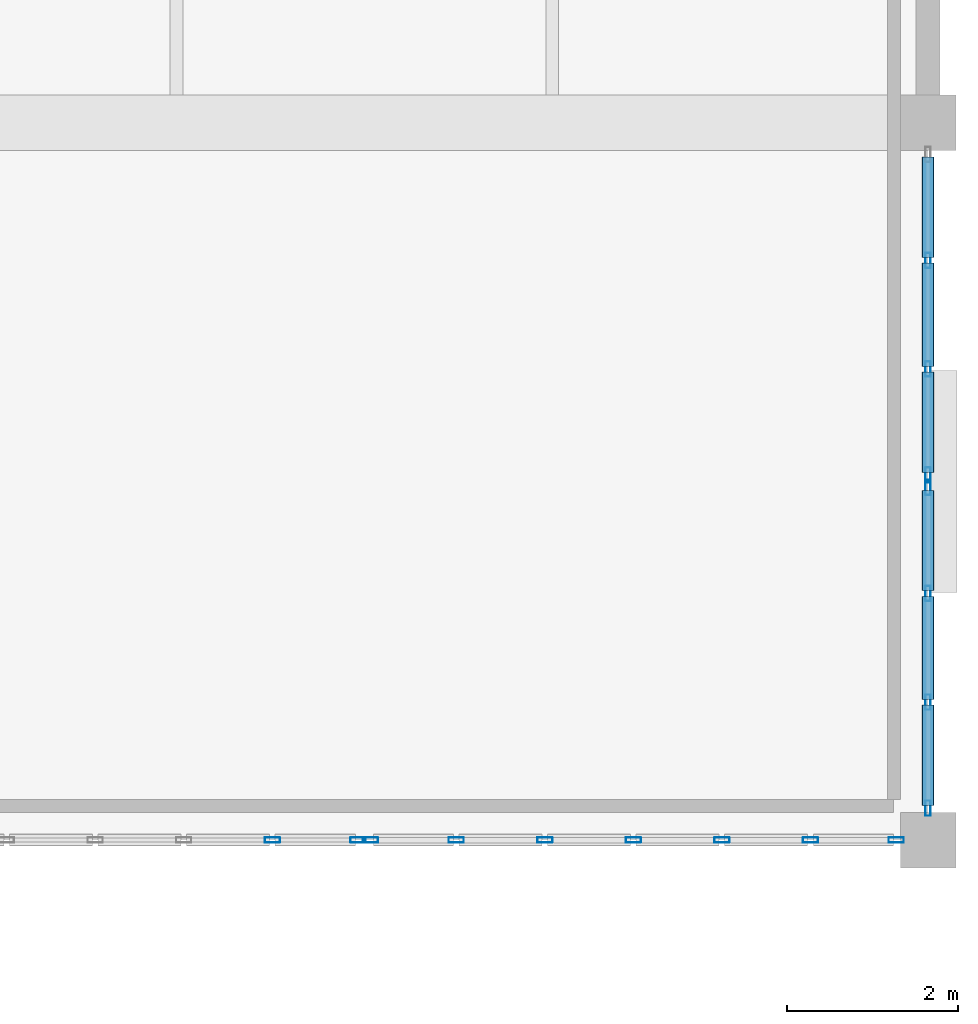
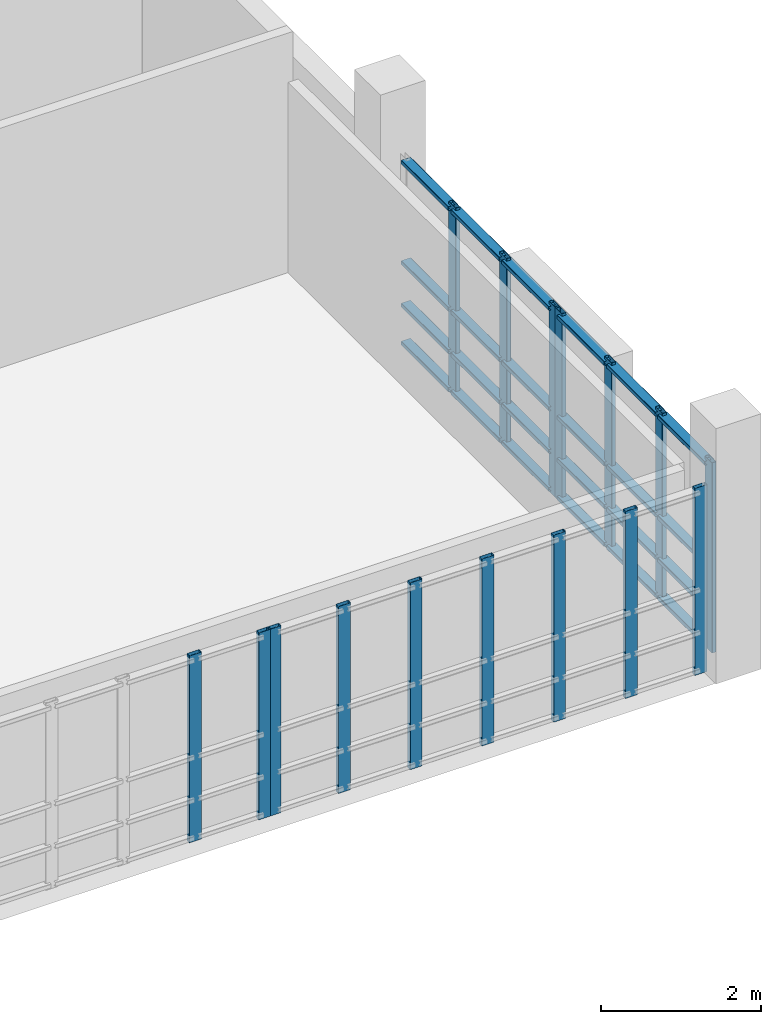
# One storey, part 11 of 25: 40 members, 4 elements without a shape of their own.
"""IFC4 building model written with IfcOpenShell, lengths in metres."""

from ifc_helpers import new_model, si_unit, direction, frame, origin, origin_2d, place, context, subcontext, project, spatial, hollow_rectangle, extrude, material, layer, layer_set, material_profile, profile_set, type_object, element, aggregate, save


model = new_model("IFC4")

# Units and contexts
model_context = context("Model", 3, precision=1e-05, world=origin(), true_north=direction((0.0, 1.0)))
body_context = subcontext(model_context, "Body", "Model", "MODEL_VIEW")
ifc_project = project(units=[si_unit("LENGTHUNIT", "METRE"), si_unit("AREAUNIT", "SQUARE_METRE"), si_unit("VOLUMEUNIT", "CUBIC_METRE"), si_unit("PLANEANGLEUNIT", "RADIAN"), si_unit("MASSUNIT", "GRAM", prefix="KILO")], contexts=[model_context])

# Site, building, storey
site_placement = place(None, origin())
site = spatial("IfcSite", under=ifc_project, at=site_placement, CompositionType="ELEMENT")
building_placement = place(site_placement, origin())
building = spatial("IfcBuilding", under=site, at=building_placement, Name="Kisaragi Civic Commons", CompositionType="ELEMENT")
storey_placement = place(building_placement, frame((0.0, 0.0, 13.5)))
storey = spatial("IfcBuildingStorey", under=building, at=storey_placement, Name="L03", CompositionType="ELEMENT", Elevation=13.5)

# Curtain wall, members
ifc_material = material(Name="Thermally broken anodized aluminium and low-E double glazing", Category="aluminium")
ifc_layer = layer(ifc_material, 0.179931640625, Name="Thermally broken anodized aluminium and low-E double glazing", Category="aluminium")
ifc_layer_set = layer_set([ifc_layer], Name="Thermally broken anodized aluminium and low-E double glazing")
curtain_wall_type = type_object("IfcCurtainWallType", Name="CW-01", PredefinedType="NOTDEFINED", material=ifc_layer_set)
curtain_wall_1_placement = place(storey_placement, origin())
curtain_wall_1 = element("IfcCurtainWall", 1, at=curtain_wall_1_placement, inside=storey, type_object=curtain_wall_type, Name="L03 curtain wall CW-01 CW-V4-L03-105", PredefinedType="NOTDEFINED")
ifc_material_profile_1 = material_profile(ifc_material, hollow_rectangle(XDim=0.06494140625, YDim=0.179931640625, WallThickness=0.00439453125, InnerFilletRadius=0.00439453125, OuterFilletRadius=0.009033203125, at=origin_2d()), Name="CWM-65x180x4.5", Category="aluminium")
ifc_profile_set_1 = profile_set([ifc_material_profile_1], Name="Thermally broken anodized aluminium and low-E double glazing")
member_type_1 = type_object("IfcMemberType", Name="CWM-02", PredefinedType="MULLION", material=ifc_profile_set_1)
member_1_placement = place(storey_placement, frame((146.39990234375, 102.78662109375, 0.0), z_axis=(0.0, 0.0, 1.0), x_axis=(1.0, 0.0, 0.0)))
member_1 = element("IfcMember", 2, at=member_1_placement, type_object=member_type_1, Name="CW-01 mullion 2", PredefinedType="MULLION", context=body_context, shape_type="SweptSolid", body=[
    extrude(hollow_rectangle(XDim=0.06494140625, YDim=0.179931640625, WallThickness=0.00439453125, InnerFilletRadius=0.00439453125, OuterFilletRadius=0.009033203125, at=origin_2d()), origin(), (0.0, 0.0, 1.0), 2.905029296875),
])
member_2_placement = place(storey_placement, frame((146.39990234375, 101.513427734375, 0.0), z_axis=(0.0, 0.0, 1.0), x_axis=(1.0, 0.0, 0.0)))
member_2 = element("IfcMember", 3, at=member_2_placement, type_object=member_type_1, Name="CW-01 mullion 3", PredefinedType="MULLION", context=body_context, shape_type="SweptSolid", body=[
    extrude(hollow_rectangle(XDim=0.06494140625, YDim=0.179931640625, WallThickness=0.00439453125, InnerFilletRadius=0.00439453125, OuterFilletRadius=0.009033203125, at=origin_2d()), origin(), (0.0, 0.0, 1.0), 2.905029296875),
])
member_3_placement = place(storey_placement, frame((146.39990234375, 100.2724609375, 0.0), z_axis=(0.0, 0.0, 1.0), x_axis=(1.0, 0.0, 0.0)))
member_3 = element("IfcMember", 4, at=member_3_placement, type_object=member_type_1, Name="CW-01 mullion 4", PredefinedType="MULLION", context=body_context, shape_type="SweptSolid", body=[
    extrude(hollow_rectangle(XDim=0.06494140625, YDim=0.179931640625, WallThickness=0.00439453125, InnerFilletRadius=0.00439453125, OuterFilletRadius=0.009033203125, at=origin_2d()), origin(), (0.0, 0.0, 1.0), 2.905029296875),
])

curtain_wall_2_placement = place(storey_placement, origin())
curtain_wall_2 = element("IfcCurtainWall", 5, at=curtain_wall_2_placement, inside=storey, type_object=curtain_wall_type, Name="L03 curtain wall CW-01 CW-V4-L03-106", PredefinedType="NOTDEFINED")
member_4_placement = place(storey_placement, frame((146.39990234375, 100.12744140625, 0.0), z_axis=(0.0, 0.0, 1.0), x_axis=(1.0, 0.0, 0.0)))
member_4 = element("IfcMember", 6, at=member_4_placement, type_object=member_type_1, Name="CW-01 mullion 1", PredefinedType="MULLION", context=body_context, shape_type="SweptSolid", body=[
    extrude(hollow_rectangle(XDim=0.06494140625, YDim=0.179931640625, WallThickness=0.00439453125, InnerFilletRadius=0.00439453125, OuterFilletRadius=0.009033203125, at=origin_2d()), origin(), (0.0, 0.0, 1.0), 2.905029296875),
])
member_5_placement = place(storey_placement, frame((146.39990234375, 98.88671875, 0.0), z_axis=(0.0, 0.0, 1.0), x_axis=(1.0, 0.0, 0.0)))
member_5 = element("IfcMember", 7, at=member_5_placement, type_object=member_type_1, Name="CW-01 mullion 2", PredefinedType="MULLION", context=body_context, shape_type="SweptSolid", body=[
    extrude(hollow_rectangle(XDim=0.06494140625, YDim=0.179931640625, WallThickness=0.00439453125, InnerFilletRadius=0.00439453125, OuterFilletRadius=0.009033203125, at=origin_2d()), origin(), (0.0, 0.0, 1.0), 2.905029296875),
])
member_6_placement = place(storey_placement, frame((146.39990234375, 97.61328125, 0.0), z_axis=(0.0, 0.0, 1.0), x_axis=(1.0, 0.0, 0.0)))
member_6 = element("IfcMember", 8, at=member_6_placement, type_object=member_type_1, Name="CW-01 mullion 3", PredefinedType="MULLION", context=body_context, shape_type="SweptSolid", body=[
    extrude(hollow_rectangle(XDim=0.06494140625, YDim=0.179931640625, WallThickness=0.00439453125, InnerFilletRadius=0.00439453125, OuterFilletRadius=0.009033203125, at=origin_2d()), origin(), (0.0, 0.0, 1.0), 2.905029296875),
])
member_7_placement = place(storey_placement, frame((146.39990234375, 96.37255859375, 0.0), z_axis=(0.0, 0.0, 1.0), x_axis=(1.0, 0.0, 0.0)))
member_7 = element("IfcMember", 9, at=member_7_placement, type_object=member_type_1, Name="CW-01 mullion 4", PredefinedType="MULLION", context=body_context, shape_type="SweptSolid", body=[
    extrude(hollow_rectangle(XDim=0.06494140625, YDim=0.179931640625, WallThickness=0.00439453125, InnerFilletRadius=0.00439453125, OuterFilletRadius=0.009033203125, at=origin_2d()), origin(), (0.0, 0.0, 1.0), 2.905029296875),
])

curtain_wall_3_placement = place(storey_placement, origin())
curtain_wall_3 = element("IfcCurtainWall", 10, at=curtain_wall_3_placement, inside=storey, type_object=curtain_wall_type, Name="L03 curtain wall CW-01 CW-V4-L03-107", PredefinedType="NOTDEFINED")
member_8_placement = place(storey_placement, frame((146.027587890625, 96.0, 0.0), z_axis=(0.0, 0.0, 1.0), x_axis=(0.0, -1.0, 0.0)))
member_8 = element("IfcMember", 11, at=member_8_placement, type_object=member_type_1, Name="CW-01 mullion 1", PredefinedType="MULLION", context=body_context, shape_type="SweptSolid", body=[
    extrude(hollow_rectangle(XDim=0.06494140625, YDim=0.179931640625, WallThickness=0.00439453125, InnerFilletRadius=0.00439453125, OuterFilletRadius=0.009033203125, at=origin_2d()), origin(), (0.0, 0.0, 1.0), 2.85498046875),
])
member_9_placement = place(storey_placement, frame((145.0234375, 96.0, 0.0), z_axis=(0.0, 0.0, 1.0), x_axis=(0.0, -1.0, 0.0)))
member_9 = element("IfcMember", 12, at=member_9_placement, type_object=member_type_1, Name="CW-01 mullion 2", PredefinedType="MULLION", context=body_context, shape_type="SweptSolid", body=[
    extrude(hollow_rectangle(XDim=0.06494140625, YDim=0.179931640625, WallThickness=0.00439453125, InnerFilletRadius=0.00439453125, OuterFilletRadius=0.009033203125, at=origin_2d()), origin(), (0.0, 0.0, 1.0), 2.85498046875),
])
member_10_placement = place(storey_placement, frame((143.986572265625, 96.0, 0.0), z_axis=(0.0, 0.0, 1.0), x_axis=(0.0, -1.0, 0.0)))
member_10 = element("IfcMember", 13, at=member_10_placement, type_object=member_type_1, Name="CW-01 mullion 3", PredefinedType="MULLION", context=body_context, shape_type="SweptSolid", body=[
    extrude(hollow_rectangle(XDim=0.06494140625, YDim=0.179931640625, WallThickness=0.00439453125, InnerFilletRadius=0.00439453125, OuterFilletRadius=0.009033203125, at=origin_2d()), origin(), (0.0, 0.0, 1.0), 2.85498046875),
])
member_11_placement = place(storey_placement, frame((142.949951171875, 96.0, 0.0), z_axis=(0.0, 0.0, 1.0), x_axis=(0.0, -1.0, 0.0)))
member_11 = element("IfcMember", 14, at=member_11_placement, type_object=member_type_1, Name="CW-01 mullion 4", PredefinedType="MULLION", context=body_context, shape_type="SweptSolid", body=[
    extrude(hollow_rectangle(XDim=0.06494140625, YDim=0.179931640625, WallThickness=0.00439453125, InnerFilletRadius=0.00439453125, OuterFilletRadius=0.009033203125, at=origin_2d()), origin(), (0.0, 0.0, 1.0), 2.85498046875),
])
member_12_placement = place(storey_placement, frame((141.913330078125, 96.0, 0.0), z_axis=(0.0, 0.0, 1.0), x_axis=(0.0, -1.0, 0.0)))
member_12 = element("IfcMember", 15, at=member_12_placement, type_object=member_type_1, Name="CW-01 mullion 5", PredefinedType="MULLION", context=body_context, shape_type="SweptSolid", body=[
    extrude(hollow_rectangle(XDim=0.06494140625, YDim=0.179931640625, WallThickness=0.00439453125, InnerFilletRadius=0.00439453125, OuterFilletRadius=0.009033203125, at=origin_2d()), origin(), (0.0, 0.0, 1.0), 2.85498046875),
])
member_13_placement = place(storey_placement, frame((140.876708984375, 96.0, 0.0), z_axis=(0.0, 0.0, 1.0), x_axis=(0.0, -1.0, 0.0)))
member_13 = element("IfcMember", 16, at=member_13_placement, type_object=member_type_1, Name="CW-01 mullion 6", PredefinedType="MULLION", context=body_context, shape_type="SweptSolid", body=[
    extrude(hollow_rectangle(XDim=0.06494140625, YDim=0.179931640625, WallThickness=0.00439453125, InnerFilletRadius=0.00439453125, OuterFilletRadius=0.009033203125, at=origin_2d()), origin(), (0.0, 0.0, 1.0), 2.85498046875),
])
member_14_placement = place(storey_placement, frame((139.87255859375, 96.0, 0.0), z_axis=(0.0, 0.0, 1.0), x_axis=(0.0, -1.0, 0.0)))
member_14 = element("IfcMember", 17, at=member_14_placement, type_object=member_type_1, Name="CW-01 mullion 7", PredefinedType="MULLION", context=body_context, shape_type="SweptSolid", body=[
    extrude(hollow_rectangle(XDim=0.06494140625, YDim=0.179931640625, WallThickness=0.00439453125, InnerFilletRadius=0.00439453125, OuterFilletRadius=0.009033203125, at=origin_2d()), origin(), (0.0, 0.0, 1.0), 2.85498046875),
])
aggregate(curtain_wall_3, [member_8, member_9, member_10, member_11, member_12, member_13, member_14])

curtain_wall_4_placement = place(storey_placement, origin())
curtain_wall_4 = element("IfcCurtainWall", 18, at=curtain_wall_4_placement, inside=storey, type_object=curtain_wall_type, Name="L03 curtain wall CW-01 CW-V4-L03-108", PredefinedType="NOTDEFINED")
member_15_placement = place(storey_placement, frame((139.7275390625, 96.0, 0.0), z_axis=(0.0, 0.0, 1.0), x_axis=(0.0, -1.0, 0.0)))
member_15 = element("IfcMember", 19, at=member_15_placement, type_object=member_type_1, Name="CW-01 mullion 1", PredefinedType="MULLION", context=body_context, shape_type="SweptSolid", body=[
    extrude(hollow_rectangle(XDim=0.06494140625, YDim=0.179931640625, WallThickness=0.00439453125, InnerFilletRadius=0.00439453125, OuterFilletRadius=0.009033203125, at=origin_2d()), origin(), (0.0, 0.0, 1.0), 2.85498046875),
])
member_16_placement = place(storey_placement, frame((138.723388671875, 96.0, 0.0), z_axis=(0.0, 0.0, 1.0), x_axis=(0.0, -1.0, 0.0)))
member_16 = element("IfcMember", 20, at=member_16_placement, type_object=member_type_1, Name="CW-01 mullion 2", PredefinedType="MULLION", context=body_context, shape_type="SweptSolid", body=[
    extrude(hollow_rectangle(XDim=0.06494140625, YDim=0.179931640625, WallThickness=0.00439453125, InnerFilletRadius=0.00439453125, OuterFilletRadius=0.009033203125, at=origin_2d()), origin(), (0.0, 0.0, 1.0), 2.85498046875),
])
aggregate(curtain_wall_4, [member_15, member_16])

# Member
ifc_material_profile_2 = material_profile(ifc_material, hollow_rectangle(XDim=0.139892578125, YDim=0.06494140625, WallThickness=0.00439453125, InnerFilletRadius=0.00439453125, OuterFilletRadius=0.009033203125, at=origin_2d()), Name="CWT-65x140x4.5", Category="aluminium")
ifc_profile_set_2 = profile_set([ifc_material_profile_2], Name="Thermally broken anodized aluminium and low-E double glazing")
member_type_2 = type_object("IfcMemberType", Name="CWT-02", PredefinedType="USERDEFINED", material=ifc_profile_set_2)
member_17_placement = place(storey_placement, frame((146.39990234375, 103.9951171875, 0.070068359375), z_axis=(0.0, -1.0, 0.0), x_axis=(1.0, 0.0, 0.0)))
member_17 = element("IfcMember", 21, at=member_17_placement, type_object=member_type_2, Name="CW-01 transom 1.1", ObjectType="TRANSOM", PredefinedType="USERDEFINED", context=body_context, shape_type="SweptSolid", body=[
    extrude(hollow_rectangle(XDim=0.139892578125, YDim=0.06494140625, WallThickness=0.00439453125, InnerFilletRadius=0.00439453125, OuterFilletRadius=0.009033203125, at=origin_2d()), origin(), (0.0, 0.0, 1.0), 1.176025390625),
])

member_18_placement = place(storey_placement, frame((146.39990234375, 103.9951171875, 0.64990234375), z_axis=(0.0, -1.0, 0.0), x_axis=(1.0, 0.0, 0.0)))
member_18 = element("IfcMember", 22, at=member_18_placement, type_object=member_type_2, Name="CW-01 transom 1.2", ObjectType="TRANSOM", PredefinedType="USERDEFINED", context=body_context, shape_type="SweptSolid", body=[
    extrude(hollow_rectangle(XDim=0.139892578125, YDim=0.06494140625, WallThickness=0.00439453125, InnerFilletRadius=0.00439453125, OuterFilletRadius=0.009033203125, at=origin_2d()), origin(), (0.0, 0.0, 1.0), 1.176025390625),
])

member_19_placement = place(storey_placement, frame((146.39990234375, 103.9951171875, 1.300048828125), z_axis=(0.0, -1.0, 0.0), x_axis=(1.0, 0.0, 0.0)))
member_19 = element("IfcMember", 23, at=member_19_placement, type_object=member_type_2, Name="CW-01 transom 1.3", ObjectType="TRANSOM", PredefinedType="USERDEFINED", context=body_context, shape_type="SweptSolid", body=[
    extrude(hollow_rectangle(XDim=0.139892578125, YDim=0.06494140625, WallThickness=0.00439453125, InnerFilletRadius=0.00439453125, OuterFilletRadius=0.009033203125, at=origin_2d()), origin(), (0.0, 0.0, 1.0), 1.176025390625),
])

member_20_placement = place(storey_placement, frame((146.39990234375, 103.9951171875, 2.8349609375), z_axis=(0.0, -1.0, 0.0), x_axis=(1.0, 0.0, 0.0)))
member_20 = element("IfcMember", 24, at=member_20_placement, type_object=member_type_2, Name="CW-01 transom 1.4", ObjectType="TRANSOM", PredefinedType="USERDEFINED", context=body_context, shape_type="SweptSolid", body=[
    extrude(hollow_rectangle(XDim=0.139892578125, YDim=0.06494140625, WallThickness=0.00439453125, InnerFilletRadius=0.00439453125, OuterFilletRadius=0.009033203125, at=origin_2d()), origin(), (0.0, 0.0, 1.0), 1.176025390625),
])

member_21_placement = place(storey_placement, frame((146.39990234375, 102.754150390625, 0.070068359375), z_axis=(0.0, -1.0, 0.0), x_axis=(1.0, 0.0, 0.0)))
member_21 = element("IfcMember", 25, at=member_21_placement, type_object=member_type_2, Name="CW-01 transom 2.1", ObjectType="TRANSOM", PredefinedType="USERDEFINED", context=body_context, shape_type="SweptSolid", body=[
    extrude(hollow_rectangle(XDim=0.139892578125, YDim=0.06494140625, WallThickness=0.00439453125, InnerFilletRadius=0.00439453125, OuterFilletRadius=0.009033203125, at=origin_2d()), origin(), (0.0, 0.0, 1.0), 1.208251953125),
])

member_22_placement = place(storey_placement, frame((146.39990234375, 102.754150390625, 0.64990234375), z_axis=(0.0, -1.0, 0.0), x_axis=(1.0, 0.0, 0.0)))
member_22 = element("IfcMember", 26, at=member_22_placement, type_object=member_type_2, Name="CW-01 transom 2.2", ObjectType="TRANSOM", PredefinedType="USERDEFINED", context=body_context, shape_type="SweptSolid", body=[
    extrude(hollow_rectangle(XDim=0.139892578125, YDim=0.06494140625, WallThickness=0.00439453125, InnerFilletRadius=0.00439453125, OuterFilletRadius=0.009033203125, at=origin_2d()), origin(), (0.0, 0.0, 1.0), 1.208251953125),
])

member_23_placement = place(storey_placement, frame((146.39990234375, 102.754150390625, 1.300048828125), z_axis=(0.0, -1.0, 0.0), x_axis=(1.0, 0.0, 0.0)))
member_23 = element("IfcMember", 27, at=member_23_placement, type_object=member_type_2, Name="CW-01 transom 2.3", ObjectType="TRANSOM", PredefinedType="USERDEFINED", context=body_context, shape_type="SweptSolid", body=[
    extrude(hollow_rectangle(XDim=0.139892578125, YDim=0.06494140625, WallThickness=0.00439453125, InnerFilletRadius=0.00439453125, OuterFilletRadius=0.009033203125, at=origin_2d()), origin(), (0.0, 0.0, 1.0), 1.208251953125),
])

member_24_placement = place(storey_placement, frame((146.39990234375, 102.754150390625, 2.8349609375), z_axis=(0.0, -1.0, 0.0), x_axis=(1.0, 0.0, 0.0)))
member_24 = element("IfcMember", 28, at=member_24_placement, type_object=member_type_2, Name="CW-01 transom 2.4", ObjectType="TRANSOM", PredefinedType="USERDEFINED", context=body_context, shape_type="SweptSolid", body=[
    extrude(hollow_rectangle(XDim=0.139892578125, YDim=0.06494140625, WallThickness=0.00439453125, InnerFilletRadius=0.00439453125, OuterFilletRadius=0.009033203125, at=origin_2d()), origin(), (0.0, 0.0, 1.0), 1.208251953125),
])

member_25_placement = place(storey_placement, frame((146.39990234375, 101.480712890625, 0.070068359375), z_axis=(0.0, -1.0, 0.0), x_axis=(1.0, 0.0, 0.0)))
member_25 = element("IfcMember", 29, at=member_25_placement, type_object=member_type_2, Name="CW-01 transom 3.1", ObjectType="TRANSOM", PredefinedType="USERDEFINED", context=body_context, shape_type="SweptSolid", body=[
    extrude(hollow_rectangle(XDim=0.139892578125, YDim=0.06494140625, WallThickness=0.00439453125, InnerFilletRadius=0.00439453125, OuterFilletRadius=0.009033203125, at=origin_2d()), origin(), (0.0, 0.0, 1.0), 1.17578125),
])

member_26_placement = place(storey_placement, frame((146.39990234375, 101.480712890625, 0.64990234375), z_axis=(0.0, -1.0, 0.0), x_axis=(1.0, 0.0, 0.0)))
member_26 = element("IfcMember", 30, at=member_26_placement, type_object=member_type_2, Name="CW-01 transom 3.2", ObjectType="TRANSOM", PredefinedType="USERDEFINED", context=body_context, shape_type="SweptSolid", body=[
    extrude(hollow_rectangle(XDim=0.139892578125, YDim=0.06494140625, WallThickness=0.00439453125, InnerFilletRadius=0.00439453125, OuterFilletRadius=0.009033203125, at=origin_2d()), origin(), (0.0, 0.0, 1.0), 1.17578125),
])

member_27_placement = place(storey_placement, frame((146.39990234375, 101.480712890625, 1.300048828125), z_axis=(0.0, -1.0, 0.0), x_axis=(1.0, 0.0, 0.0)))
member_27 = element("IfcMember", 31, at=member_27_placement, type_object=member_type_2, Name="CW-01 transom 3.3", ObjectType="TRANSOM", PredefinedType="USERDEFINED", context=body_context, shape_type="SweptSolid", body=[
    extrude(hollow_rectangle(XDim=0.139892578125, YDim=0.06494140625, WallThickness=0.00439453125, InnerFilletRadius=0.00439453125, OuterFilletRadius=0.009033203125, at=origin_2d()), origin(), (0.0, 0.0, 1.0), 1.17578125),
])

member_28_placement = place(storey_placement, frame((146.39990234375, 101.480712890625, 2.8349609375), z_axis=(0.0, -1.0, 0.0), x_axis=(1.0, 0.0, 0.0)))
member_28 = element("IfcMember", 32, at=member_28_placement, type_object=member_type_2, Name="CW-01 transom 3.4", ObjectType="TRANSOM", PredefinedType="USERDEFINED", context=body_context, shape_type="SweptSolid", body=[
    extrude(hollow_rectangle(XDim=0.139892578125, YDim=0.06494140625, WallThickness=0.00439453125, InnerFilletRadius=0.00439453125, OuterFilletRadius=0.009033203125, at=origin_2d()), origin(), (0.0, 0.0, 1.0), 1.17578125),
])

aggregate(curtain_wall_1, [member_1, member_2, member_3, member_17, member_18, member_19, member_20, member_21, member_22, member_23, member_24, member_25, member_26, member_27, member_28])

member_29_placement = place(storey_placement, frame((146.39990234375, 100.094970703125, 0.070068359375), z_axis=(0.0, -1.0, 0.0), x_axis=(1.0, 0.0, 0.0)))
member_29 = element("IfcMember", 33, at=member_29_placement, type_object=member_type_2, Name="CW-01 transom 1.1", ObjectType="TRANSOM", PredefinedType="USERDEFINED", context=body_context, shape_type="SweptSolid", body=[
    extrude(hollow_rectangle(XDim=0.139892578125, YDim=0.06494140625, WallThickness=0.00439453125, InnerFilletRadius=0.00439453125, OuterFilletRadius=0.009033203125, at=origin_2d()), origin(), (0.0, 0.0, 1.0), 1.17578125),
])

member_30_placement = place(storey_placement, frame((146.39990234375, 100.094970703125, 0.64990234375), z_axis=(0.0, -1.0, 0.0), x_axis=(1.0, 0.0, 0.0)))
member_30 = element("IfcMember", 34, at=member_30_placement, type_object=member_type_2, Name="CW-01 transom 1.2", ObjectType="TRANSOM", PredefinedType="USERDEFINED", context=body_context, shape_type="SweptSolid", body=[
    extrude(hollow_rectangle(XDim=0.139892578125, YDim=0.06494140625, WallThickness=0.00439453125, InnerFilletRadius=0.00439453125, OuterFilletRadius=0.009033203125, at=origin_2d()), origin(), (0.0, 0.0, 1.0), 1.17578125),
])

member_31_placement = place(storey_placement, frame((146.39990234375, 100.094970703125, 1.300048828125), z_axis=(0.0, -1.0, 0.0), x_axis=(1.0, 0.0, 0.0)))
member_31 = element("IfcMember", 35, at=member_31_placement, type_object=member_type_2, Name="CW-01 transom 1.3", ObjectType="TRANSOM", PredefinedType="USERDEFINED", context=body_context, shape_type="SweptSolid", body=[
    extrude(hollow_rectangle(XDim=0.139892578125, YDim=0.06494140625, WallThickness=0.00439453125, InnerFilletRadius=0.00439453125, OuterFilletRadius=0.009033203125, at=origin_2d()), origin(), (0.0, 0.0, 1.0), 1.17578125),
])

member_32_placement = place(storey_placement, frame((146.39990234375, 100.094970703125, 2.8349609375), z_axis=(0.0, -1.0, 0.0), x_axis=(1.0, 0.0, 0.0)))
member_32 = element("IfcMember", 36, at=member_32_placement, type_object=member_type_2, Name="CW-01 transom 1.4", ObjectType="TRANSOM", PredefinedType="USERDEFINED", context=body_context, shape_type="SweptSolid", body=[
    extrude(hollow_rectangle(XDim=0.139892578125, YDim=0.06494140625, WallThickness=0.00439453125, InnerFilletRadius=0.00439453125, OuterFilletRadius=0.009033203125, at=origin_2d()), origin(), (0.0, 0.0, 1.0), 1.17578125),
])

member_33_placement = place(storey_placement, frame((146.39990234375, 98.854248046875, 0.070068359375), z_axis=(0.0, -1.0, 0.0), x_axis=(1.0, 0.0, 0.0)))
member_33 = element("IfcMember", 37, at=member_33_placement, type_object=member_type_2, Name="CW-01 transom 2.1", ObjectType="TRANSOM", PredefinedType="USERDEFINED", context=body_context, shape_type="SweptSolid", body=[
    extrude(hollow_rectangle(XDim=0.139892578125, YDim=0.06494140625, WallThickness=0.00439453125, InnerFilletRadius=0.00439453125, OuterFilletRadius=0.009033203125, at=origin_2d()), origin(), (0.0, 0.0, 1.0), 1.20849609375),
])

member_34_placement = place(storey_placement, frame((146.39990234375, 98.854248046875, 0.64990234375), z_axis=(0.0, -1.0, 0.0), x_axis=(1.0, 0.0, 0.0)))
member_34 = element("IfcMember", 38, at=member_34_placement, type_object=member_type_2, Name="CW-01 transom 2.2", ObjectType="TRANSOM", PredefinedType="USERDEFINED", context=body_context, shape_type="SweptSolid", body=[
    extrude(hollow_rectangle(XDim=0.139892578125, YDim=0.06494140625, WallThickness=0.00439453125, InnerFilletRadius=0.00439453125, OuterFilletRadius=0.009033203125, at=origin_2d()), origin(), (0.0, 0.0, 1.0), 1.20849609375),
])

member_35_placement = place(storey_placement, frame((146.39990234375, 98.854248046875, 1.300048828125), z_axis=(0.0, -1.0, 0.0), x_axis=(1.0, 0.0, 0.0)))
member_35 = element("IfcMember", 39, at=member_35_placement, type_object=member_type_2, Name="CW-01 transom 2.3", ObjectType="TRANSOM", PredefinedType="USERDEFINED", context=body_context, shape_type="SweptSolid", body=[
    extrude(hollow_rectangle(XDim=0.139892578125, YDim=0.06494140625, WallThickness=0.00439453125, InnerFilletRadius=0.00439453125, OuterFilletRadius=0.009033203125, at=origin_2d()), origin(), (0.0, 0.0, 1.0), 1.20849609375),
])

member_36_placement = place(storey_placement, frame((146.39990234375, 98.854248046875, 2.8349609375), z_axis=(0.0, -1.0, 0.0), x_axis=(1.0, 0.0, 0.0)))
member_36 = element("IfcMember", 40, at=member_36_placement, type_object=member_type_2, Name="CW-01 transom 2.4", ObjectType="TRANSOM", PredefinedType="USERDEFINED", context=body_context, shape_type="SweptSolid", body=[
    extrude(hollow_rectangle(XDim=0.139892578125, YDim=0.06494140625, WallThickness=0.00439453125, InnerFilletRadius=0.00439453125, OuterFilletRadius=0.009033203125, at=origin_2d()), origin(), (0.0, 0.0, 1.0), 1.20849609375),
])

member_37_placement = place(storey_placement, frame((146.39990234375, 97.580810546875, 0.070068359375), z_axis=(0.0, -1.0, 0.0), x_axis=(1.0, 0.0, 0.0)))
member_37 = element("IfcMember", 41, at=member_37_placement, type_object=member_type_2, Name="CW-01 transom 3.1", ObjectType="TRANSOM", PredefinedType="USERDEFINED", context=body_context, shape_type="SweptSolid", body=[
    extrude(hollow_rectangle(XDim=0.139892578125, YDim=0.06494140625, WallThickness=0.00439453125, InnerFilletRadius=0.00439453125, OuterFilletRadius=0.009033203125, at=origin_2d()), origin(), (0.0, 0.0, 1.0), 1.17578125),
])

member_38_placement = place(storey_placement, frame((146.39990234375, 97.580810546875, 0.64990234375), z_axis=(0.0, -1.0, 0.0), x_axis=(1.0, 0.0, 0.0)))
member_38 = element("IfcMember", 42, at=member_38_placement, type_object=member_type_2, Name="CW-01 transom 3.2", ObjectType="TRANSOM", PredefinedType="USERDEFINED", context=body_context, shape_type="SweptSolid", body=[
    extrude(hollow_rectangle(XDim=0.139892578125, YDim=0.06494140625, WallThickness=0.00439453125, InnerFilletRadius=0.00439453125, OuterFilletRadius=0.009033203125, at=origin_2d()), origin(), (0.0, 0.0, 1.0), 1.17578125),
])

member_39_placement = place(storey_placement, frame((146.39990234375, 97.580810546875, 1.300048828125), z_axis=(0.0, -1.0, 0.0), x_axis=(1.0, 0.0, 0.0)))
member_39 = element("IfcMember", 43, at=member_39_placement, type_object=member_type_2, Name="CW-01 transom 3.3", ObjectType="TRANSOM", PredefinedType="USERDEFINED", context=body_context, shape_type="SweptSolid", body=[
    extrude(hollow_rectangle(XDim=0.139892578125, YDim=0.06494140625, WallThickness=0.00439453125, InnerFilletRadius=0.00439453125, OuterFilletRadius=0.009033203125, at=origin_2d()), origin(), (0.0, 0.0, 1.0), 1.17578125),
])

member_40_placement = place(storey_placement, frame((146.39990234375, 97.580810546875, 2.8349609375), z_axis=(0.0, -1.0, 0.0), x_axis=(1.0, 0.0, 0.0)))
member_40 = element("IfcMember", 44, at=member_40_placement, type_object=member_type_2, Name="CW-01 transom 3.4", ObjectType="TRANSOM", PredefinedType="USERDEFINED", context=body_context, shape_type="SweptSolid", body=[
    extrude(hollow_rectangle(XDim=0.139892578125, YDim=0.06494140625, WallThickness=0.00439453125, InnerFilletRadius=0.00439453125, OuterFilletRadius=0.009033203125, at=origin_2d()), origin(), (0.0, 0.0, 1.0), 1.17578125),
])

aggregate(curtain_wall_2, [member_4, member_5, member_6, member_7, member_29, member_30, member_31, member_32, member_33, member_34, member_35, member_36, member_37, member_38, member_39, member_40])

save(model, "model.ifc")
